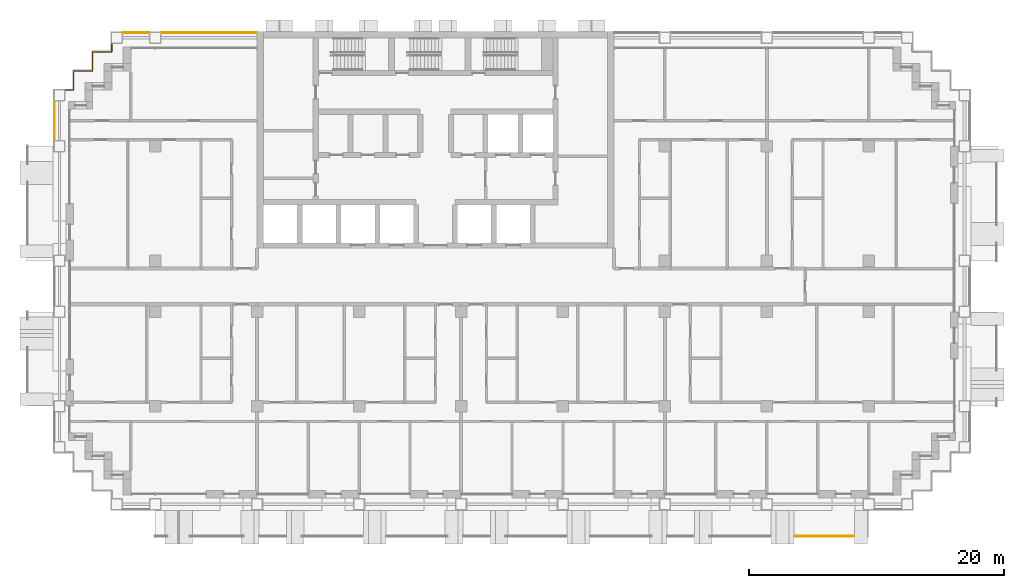
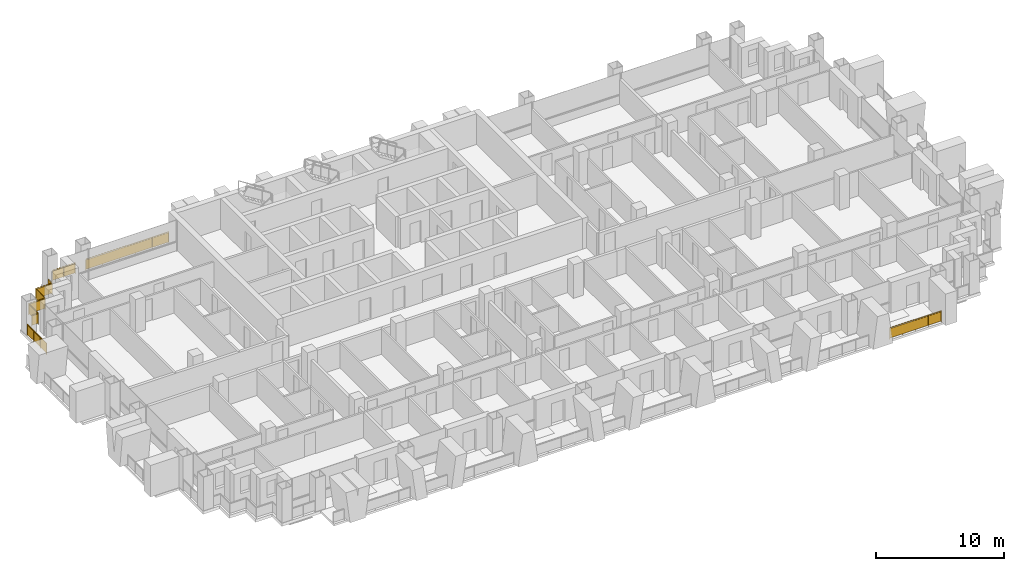
# One storey, part 16 of 18: 5 railings.
"""IFC4 building model written with IfcOpenShell, lengths in metres."""

from ifc_helpers import new_model, si_unit, direction, frame, origin, origin_2d, place, context, subcontext, project, spatial, rectangle, circle, extrude, material, type_object, element, save


model = new_model("IFC4")

# Units and contexts
model_context = context("Model", 3, precision=1e-05, world=origin(), true_north=direction((0.0, 1.0)))
body_context = subcontext(model_context, "Body", "Model", "MODEL_VIEW")
ifc_project = project(units=[si_unit("LENGTHUNIT", "METRE"), si_unit("AREAUNIT", "SQUARE_METRE"), si_unit("VOLUMEUNIT", "CUBIC_METRE"), si_unit("PLANEANGLEUNIT", "RADIAN"), si_unit("MASSUNIT", "GRAM", prefix="KILO")], contexts=[model_context])

# Site, building, storey
site_placement = place(None, origin())
site = spatial("IfcSite", under=ifc_project, at=site_placement, CompositionType="ELEMENT")
building_placement = place(site_placement, origin())
building = spatial("IfcBuilding", under=site, at=building_placement, Name="Vidyagriha Tower", CompositionType="ELEMENT")
storey_placement = place(building_placement, frame((0.0, 0.0, 90.300048828125)))
storey = spatial("IfcBuildingStorey", under=building, at=storey_placement, Name="L23", CompositionType="ELEMENT", Elevation=90.300048828125)

# Railings
ifc_material_1 = material(Name="Steel ASTM A500 Grade C black painted", Category="steel")
railing_type_1 = type_object("IfcRailingType", Name="Balcony guard 1100", PredefinedType="BALUSTRADE", material=ifc_material_1)
railing_1_placement = place(storey_placement, frame((28.169921875, -19.60009765625, 0.0)))
element("IfcRailing", 1, at=railing_1_placement, inside=storey, type_object=railing_type_1, Name="Balcony guard L23 R23.1-11", PredefinedType="BALUSTRADE", context=body_context, shape_type="SweptSolid", body=[
    extrude(circle(Radius=0.02490234375, at=origin_2d()), frame((0.0, 0.0, 1.0751953125), z_axis=(1.0, 0.0, 0.0), x_axis=(0.0, 1.0, 0.0)), (0.0, 0.0, 1.0), 4.655029296875),
    extrude(circle(Radius=0.02001953125, at=origin_2d()), origin(), (0.0, 0.0, 1.0), 1.050048828125),
    extrude(circle(Radius=0.02001953125, at=origin_2d()), frame((1.163818359375, 0.0, 0.0)), (0.0, 0.0, 1.0), 1.050048828125),
    extrude(circle(Radius=0.02001953125, at=origin_2d()), frame((2.32763671875, 0.0, 0.0)), (0.0, 0.0, 1.0), 1.050048828125),
    extrude(circle(Radius=0.02001953125, at=origin_2d()), frame((3.4912109375, 0.0, 0.0)), (0.0, 0.0, 1.0), 1.050048828125),
    extrude(circle(Radius=0.02001953125, at=origin_2d()), frame((4.655029296875, 0.0, 0.0)), (0.0, 0.0, 1.0), 1.050048828125),
    extrude(rectangle(XDim=0.010009765625, YDim=0.900146484375, at=origin_2d()), frame((0.0, 0.0, 0.550048828125), z_axis=(1.0, 0.0, 0.0), x_axis=(0.0, 1.0, 0.0)), (0.0, 0.0, 1.0), 4.655029296875),
])
ifc_material_2 = material(Name="Steel ASTM A500 Grade C black painted", Category="steel")
railing_type_2 = type_object("IfcRailingType", Name="Gallery guard 1100", PredefinedType="GUARDRAIL", material=ifc_material_2)
railing_2_placement = place(storey_placement, frame((-29.89990234375, 11.47998046875, 0.0)))
element("IfcRailing", 2, at=railing_2_placement, inside=storey, type_object=railing_type_2, Name="Gallery guard L23 3", PredefinedType="GUARDRAIL", context=body_context, shape_type="SweptSolid", body=[
    extrude(circle(Radius=0.02490234375, at=origin_2d()), frame((0.0, 0.0, 1.0751953125), z_axis=(0.0, 1.0, 0.0), x_axis=(-1.0, 0.0, 0.0)), (0.0, 0.0, 1.0), 3.0400390625),
    extrude(circle(Radius=0.02001953125, at=origin_2d()), origin(), (0.0, 0.0, 1.0), 1.050048828125),
    extrude(circle(Radius=0.02001953125, at=origin_2d()), frame((0.0, 1.013427734375, 0.0)), (0.0, 0.0, 1.0), 1.050048828125),
    extrude(circle(Radius=0.02001953125, at=origin_2d()), frame((0.0, 2.026611328125, 0.0)), (0.0, 0.0, 1.0), 1.050048828125),
    extrude(circle(Radius=0.02001953125, at=origin_2d()), frame((0.0, 3.0400390625, 0.0)), (0.0, 0.0, 1.0), 1.050048828125),
    extrude(rectangle(XDim=0.010009765625, YDim=0.900146484375, at=origin_2d()), frame((0.0, 0.0, 0.550048828125), z_axis=(0.0, 1.0, 0.0), x_axis=(-1.0, 0.0, 0.0)), (0.0, 0.0, 1.0), 3.0400390625),
])
railing_3_placement = place(storey_placement, frame((-29.02001953125, 15.39990234375, 0.0)))
element("IfcRailing", 3, at=railing_3_placement, inside=storey, type_object=railing_type_2, Name="Gallery guard L23 5", PredefinedType="GUARDRAIL", context=body_context, shape_type="SweptSolid", body=[
    extrude(circle(Radius=0.02490234375, at=origin_2d()), frame((0.0, 0.0, 1.0751953125), z_axis=(1.0, 0.0, 0.0), x_axis=(0.0, 1.0, 0.0)), (0.0, 0.0, 1.0), 0.6201171875),
    extrude(circle(Radius=0.02490234375, at=origin_2d()), frame((0.6201171875, 0.0, 1.0751953125), z_axis=(0.0, 1.0, 0.0), x_axis=(-1.0, 0.0, 0.0)), (0.0, 0.0, 1.0), 1.5),
    extrude(circle(Radius=0.02490234375, at=origin_2d()), frame((0.6201171875, 1.5, 1.0751953125), z_axis=(1.0, 0.0, 0.0), x_axis=(0.0, 1.0, 0.0)), (0.0, 0.0, 1.0), 1.5),
    extrude(circle(Radius=0.02490234375, at=origin_2d()), frame((2.1201171875, 1.5, 1.0751953125), z_axis=(0.0, 1.0, 0.0), x_axis=(-1.0, 0.0, 0.0)), (0.0, 0.0, 1.0), 1.5),
    extrude(circle(Radius=0.02490234375, at=origin_2d()), frame((2.1201171875, 3.0, 1.0751953125), z_axis=(1.0, 0.0, 0.0), x_axis=(0.0, 1.0, 0.0)), (0.0, 0.0, 1.0), 1.5),
    extrude(circle(Radius=0.02490234375, at=origin_2d()), frame((3.6201171875, 3.0, 1.0751953125), z_axis=(0.0, 1.0, 0.0), x_axis=(-1.0, 0.0, 0.0)), (0.0, 0.0, 1.0), 0.6201171875),
    extrude(circle(Radius=0.02001953125, at=origin_2d()), origin(), (0.0, 0.0, 1.0), 1.050048828125),
    extrude(circle(Radius=0.02001953125, at=origin_2d()), frame((0.6201171875, 0.0, 0.0)), (0.0, 0.0, 1.0), 1.050048828125),
    extrude(circle(Radius=0.02001953125, at=origin_2d()), frame((0.6201171875, 1.5, 0.0)), (0.0, 0.0, 1.0), 1.050048828125),
    extrude(circle(Radius=0.02001953125, at=origin_2d()), frame((2.1201171875, 1.5, 0.0)), (0.0, 0.0, 1.0), 1.050048828125),
    extrude(circle(Radius=0.02001953125, at=origin_2d()), frame((2.1201171875, 3.0, 0.0)), (0.0, 0.0, 1.0), 1.050048828125),
    extrude(circle(Radius=0.02001953125, at=origin_2d()), frame((3.6201171875, 3.0, 0.0)), (0.0, 0.0, 1.0), 1.050048828125),
    extrude(circle(Radius=0.02001953125, at=origin_2d()), frame((3.6201171875, 3.6201171875, 0.0)), (0.0, 0.0, 1.0), 1.050048828125),
    extrude(rectangle(XDim=0.010009765625, YDim=0.900146484375, at=origin_2d()), frame((0.0, 0.0, 0.550048828125), z_axis=(1.0, 0.0, 0.0), x_axis=(0.0, 1.0, 0.0)), (0.0, 0.0, 1.0), 0.6201171875),
    extrude(rectangle(XDim=0.010009765625, YDim=0.900146484375, at=origin_2d()), frame((0.6201171875, 0.0, 0.550048828125), z_axis=(0.0, 1.0, 0.0), x_axis=(-1.0, 0.0, 0.0)), (0.0, 0.0, 1.0), 1.5),
    extrude(rectangle(XDim=0.010009765625, YDim=0.900146484375, at=origin_2d()), frame((0.6201171875, 1.5, 0.550048828125), z_axis=(1.0, 0.0, 0.0), x_axis=(0.0, 1.0, 0.0)), (0.0, 0.0, 1.0), 1.5),
    extrude(rectangle(XDim=0.010009765625, YDim=0.900146484375, at=origin_2d()), frame((2.1201171875, 1.5, 0.550048828125), z_axis=(0.0, 1.0, 0.0), x_axis=(-1.0, 0.0, 0.0)), (0.0, 0.0, 1.0), 1.5),
    extrude(rectangle(XDim=0.010009765625, YDim=0.900146484375, at=origin_2d()), frame((2.1201171875, 3.0, 0.550048828125), z_axis=(1.0, 0.0, 0.0), x_axis=(0.0, 1.0, 0.0)), (0.0, 0.0, 1.0), 1.5),
    extrude(rectangle(XDim=0.010009765625, YDim=0.900146484375, at=origin_2d()), frame((3.6201171875, 3.0, 0.550048828125), z_axis=(0.0, 1.0, 0.0), x_axis=(-1.0, 0.0, 0.0)), (0.0, 0.0, 1.0), 0.6201171875),
])
railing_4_placement = place(storey_placement, frame((-24.52001953125, 19.89990234375, 0.0)))
element("IfcRailing", 4, at=railing_4_placement, inside=storey, type_object=railing_type_2, Name="Gallery guard L23 7", PredefinedType="GUARDRAIL", context=body_context, shape_type="SweptSolid", body=[
    extrude(circle(Radius=0.02490234375, at=origin_2d()), frame((0.0, 0.0, 1.0751953125), z_axis=(1.0, 0.0, 0.0), x_axis=(0.0, 1.0, 0.0)), (0.0, 0.0, 1.0), 2.0400390625),
    extrude(circle(Radius=0.02001953125, at=origin_2d()), origin(), (0.0, 0.0, 1.0), 1.050048828125),
    extrude(circle(Radius=0.02001953125, at=origin_2d()), frame((1.02001953125, 0.0, 0.0)), (0.0, 0.0, 1.0), 1.050048828125),
    extrude(circle(Radius=0.02001953125, at=origin_2d()), frame((2.0400390625, 0.0, 0.0)), (0.0, 0.0, 1.0), 1.050048828125),
    extrude(rectangle(XDim=0.010009765625, YDim=0.900146484375, at=origin_2d()), frame((0.0, 0.0, 0.550048828125), z_axis=(1.0, 0.0, 0.0), x_axis=(0.0, 1.0, 0.0)), (0.0, 0.0, 1.0), 2.0400390625),
])
railing_5_placement = place(storey_placement, frame((-21.52001953125, 19.89990234375, 0.0)))
element("IfcRailing", 5, at=railing_5_placement, inside=storey, type_object=railing_type_2, Name="Gallery guard L23 8", PredefinedType="GUARDRAIL", context=body_context, shape_type="SweptSolid", body=[
    extrude(circle(Radius=0.02490234375, at=origin_2d()), frame((0.0, 0.0, 1.0751953125), z_axis=(1.0, 0.0, 0.0), x_axis=(0.0, 1.0, 0.0)), (0.0, 0.0, 1.0), 7.489990234375),
    extrude(circle(Radius=0.02001953125, at=origin_2d()), origin(), (0.0, 0.0, 1.0), 1.050048828125),
    extrude(circle(Radius=0.02001953125, at=origin_2d()), frame((1.498046875, 0.0, 0.0)), (0.0, 0.0, 1.0), 1.050048828125),
    extrude(circle(Radius=0.02001953125, at=origin_2d()), frame((2.99609375, 0.0, 0.0)), (0.0, 0.0, 1.0), 1.050048828125),
    extrude(circle(Radius=0.02001953125, at=origin_2d()), frame((4.493896484375, 0.0, 0.0)), (0.0, 0.0, 1.0), 1.050048828125),
    extrude(circle(Radius=0.02001953125, at=origin_2d()), frame((5.991943359375, 0.0, 0.0)), (0.0, 0.0, 1.0), 1.050048828125),
    extrude(circle(Radius=0.02001953125, at=origin_2d()), frame((7.489990234375, 0.0, 0.0)), (0.0, 0.0, 1.0), 1.050048828125),
    extrude(rectangle(XDim=0.010009765625, YDim=0.900146484375, at=origin_2d()), frame((0.0, 0.0, 0.550048828125), z_axis=(1.0, 0.0, 0.0), x_axis=(0.0, 1.0, 0.0)), (0.0, 0.0, 1.0), 7.489990234375),
])

save(model, "model.ifc")
